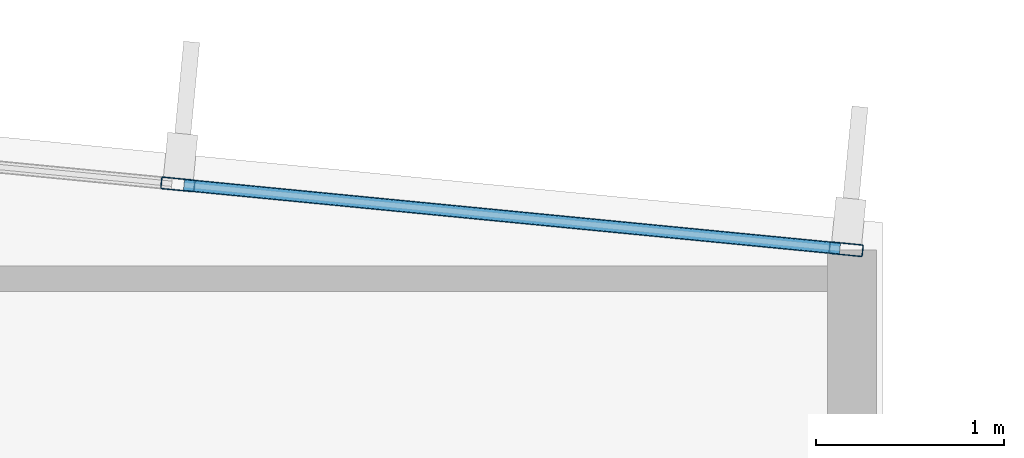
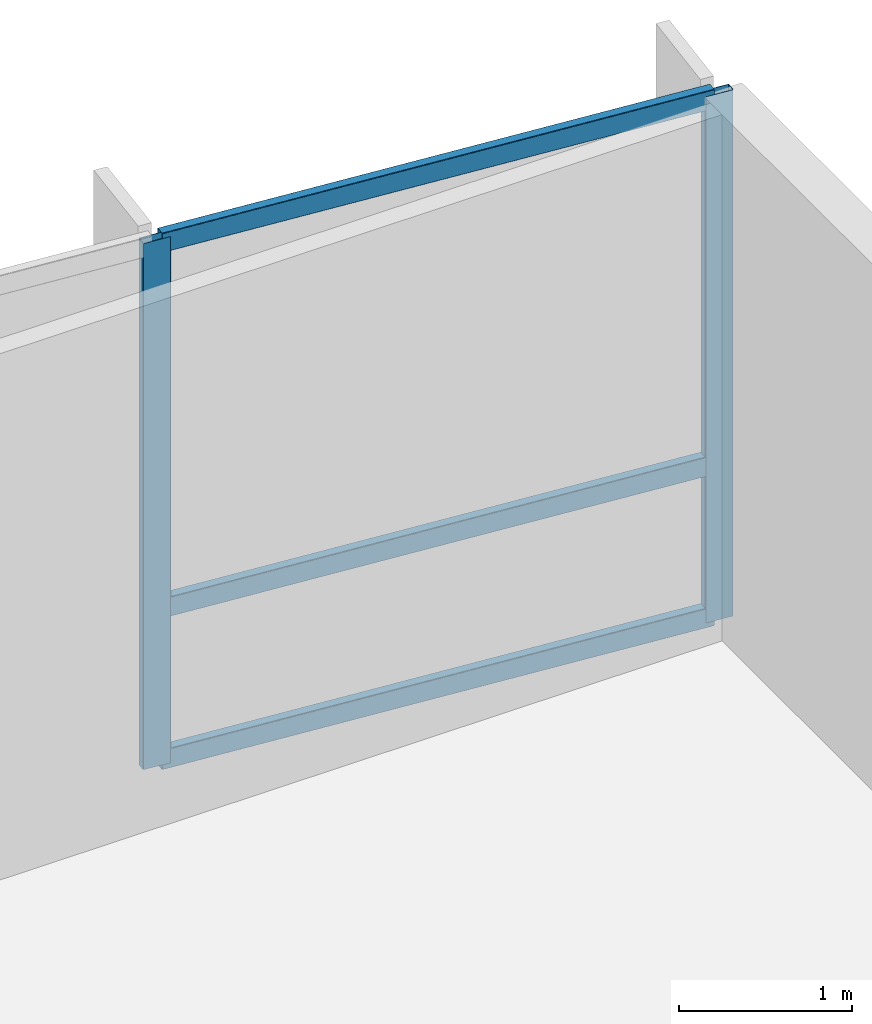
# One storey, part 8 of 16: 5 members, 1 element without a shape of its own.
"""IFC4 building model written with IfcOpenShell, lengths in metres."""

from ifc_helpers import new_model, si_unit, direction, frame, origin, origin_2d, place, context, subcontext, project, spatial, hollow_rectangle, extrude, material, layer, layer_set, material_profile, profile_set, type_object, element, aggregate, save


model = new_model("IFC4")

# Units and contexts
model_context = context("Model", 3, precision=1e-05, world=origin(), true_north=direction((0.0, 1.0)))
body_context = subcontext(model_context, "Body", "Model", "MODEL_VIEW")
ifc_project = project(units=[si_unit("LENGTHUNIT", "METRE"), si_unit("AREAUNIT", "SQUARE_METRE"), si_unit("VOLUMEUNIT", "CUBIC_METRE"), si_unit("PLANEANGLEUNIT", "RADIAN"), si_unit("MASSUNIT", "GRAM", prefix="KILO")], contexts=[model_context])

# Site, building, storey
site_placement = place(None, origin())
site = spatial("IfcSite", under=ifc_project, at=site_placement, CompositionType="ELEMENT")
building_placement = place(site_placement, origin())
building = spatial("IfcBuilding", under=site, at=building_placement, Name="Varnakote Quay Hospital", CompositionType="ELEMENT")
storey_placement = place(building_placement, frame((0.0, 0.0, 272.35009765625)))
storey = spatial("IfcBuildingStorey", under=building, at=storey_placement, Name="L67", CompositionType="ELEMENT", Elevation=272.35009765625)

# Curtain wall, members
ifc_material_1 = material(Name="Anodised aluminium 6063-T6 Bronze", Category="aluminium")
ifc_layer = layer(ifc_material_1, 0.235107421875)
ifc_layer_set = layer_set([ifc_layer], Name="Anodised aluminium 6063-T6 Bronze")
curtain_wall_type = type_object("IfcCurtainWallType", Name="CW-SYS-5", PredefinedType="NOTDEFINED", material=ifc_layer_set)
curtain_wall_placement = place(storey_placement, origin())
curtain_wall = element("IfcCurtainWall", 1, at=curtain_wall_placement, inside=storey, type_object=curtain_wall_type, Name="L67 Unitised Bronze Curtain Wall 1", PredefinedType="NOTDEFINED")
ifc_material_2 = material(Name="Anodised aluminium 6063-T6 Bronze", Category="aluminium")
ifc_material_profile_1 = material_profile(ifc_material_2, hollow_rectangle(XDim=0.06494140625, YDim=0.179931640625, WallThickness=0.00390625, InnerFilletRadius=0.00390625, OuterFilletRadius=0.008056640625, at=origin_2d()), Name="CW-MULL-180x65")
ifc_profile_set_1 = profile_set([ifc_material_profile_1], Name="Anodised aluminium 6063-T6 Bronze")
member_type_1 = type_object("IfcMemberType", Name="CW-MULL-180x65", PredefinedType="MULLION", material=ifc_profile_set_1)
member_1_placement = place(storey_placement, frame((38.707763671875, 28.557861328125, 0.0), z_axis=(0.0, 0.0, 1.0), x_axis=(-0.096568970683, -0.995326295192, 0.0)))
member_1 = element("IfcMember", 2, at=member_1_placement, type_object=member_type_1, Name="-5-L67-1 mullion 1", PredefinedType="MULLION", context=body_context, shape_type="SweptSolid", body=[
    extrude(hollow_rectangle(XDim=0.06494140625, YDim=0.179931640625, WallThickness=0.00390625, InnerFilletRadius=0.00390625, OuterFilletRadius=0.008056640625, at=origin_2d()), origin(), (0.0, 0.0, 1.0), 3.7099609375),
])
member_2_placement = place(storey_placement, frame((35.15771484375, 28.90234375, 0.0), z_axis=(0.0, 0.0, 1.0), x_axis=(-0.096568970683, -0.995326295192, 0.0)))
member_2 = element("IfcMember", 3, at=member_2_placement, type_object=member_type_1, Name="-5-L67-1 mullion 2", PredefinedType="MULLION", context=body_context, shape_type="SweptSolid", body=[
    extrude(hollow_rectangle(XDim=0.06494140625, YDim=0.179931640625, WallThickness=0.00390625, InnerFilletRadius=0.00390625, OuterFilletRadius=0.008056640625, at=origin_2d()), origin(), (0.0, 0.0, 1.0), 3.7099609375),
])
ifc_material_3 = material(Name="Anodised aluminium 6063-T6 Bronze", Category="aluminium")
ifc_material_profile_2 = material_profile(ifc_material_3, hollow_rectangle(XDim=0.06494140625, YDim=0.139892578125, WallThickness=0.00390625, InnerFilletRadius=0.00390625, OuterFilletRadius=0.007568359375, at=origin_2d()), Name="CW-TRAN-140x65")
ifc_profile_set_2 = profile_set([ifc_material_profile_2], Name="Anodised aluminium 6063-T6 Bronze")
member_type_2 = type_object("IfcMemberType", Name="CW-TRAN-140x65", PredefinedType="USERDEFINED", material=ifc_profile_set_2)
member_3_placement = place(storey_placement, frame((38.67529296875, 28.56103515625, 0.032470703125), z_axis=(-0.995326912616, 0.096562606751, 0.0), x_axis=(-0.096562606751, -0.995326912616, 0.0)))
member_3 = element("IfcMember", 4, at=member_3_placement, type_object=member_type_2, Name="-5-L67-1 transom 1.1", ObjectType="TRANSOM", PredefinedType="USERDEFINED", context=body_context, shape_type="SweptSolid", body=[
    extrude(hollow_rectangle(XDim=0.06494140625, YDim=0.139892578125, WallThickness=0.00390625, InnerFilletRadius=0.00390625, OuterFilletRadius=0.007568359375, at=origin_2d()), origin(), (0.0, 0.0, 1.0), 3.501708984375),
])
member_4_placement = place(storey_placement, frame((38.67529296875, 28.56103515625, 1.099853515625), z_axis=(-0.995326912616, 0.096562606751, 0.0), x_axis=(-0.096562606751, -0.995326912616, 0.0)))
member_4 = element("IfcMember", 5, at=member_4_placement, type_object=member_type_2, Name="-5-L67-1 transom 1.2", ObjectType="TRANSOM", PredefinedType="USERDEFINED", context=body_context, shape_type="SweptSolid", body=[
    extrude(hollow_rectangle(XDim=0.06494140625, YDim=0.139892578125, WallThickness=0.00390625, InnerFilletRadius=0.00390625, OuterFilletRadius=0.007568359375, at=origin_2d()), origin(), (0.0, 0.0, 1.0), 3.501708984375),
])
member_5_placement = place(storey_placement, frame((38.67529296875, 28.56103515625, 3.677490234375), z_axis=(-0.995326912616, 0.096562606751, 0.0), x_axis=(-0.096562606751, -0.995326912616, 0.0)))
member_5 = element("IfcMember", 6, at=member_5_placement, type_object=member_type_2, Name="-5-L67-1 transom 1.3", ObjectType="TRANSOM", PredefinedType="USERDEFINED", context=body_context, shape_type="SweptSolid", body=[
    extrude(hollow_rectangle(XDim=0.06494140625, YDim=0.139892578125, WallThickness=0.00390625, InnerFilletRadius=0.00390625, OuterFilletRadius=0.007568359375, at=origin_2d()), origin(), (0.0, 0.0, 1.0), 3.501708984375),
])
aggregate(curtain_wall, [member_1, member_2, member_3, member_4, member_5])

save(model, "model.ifc")
